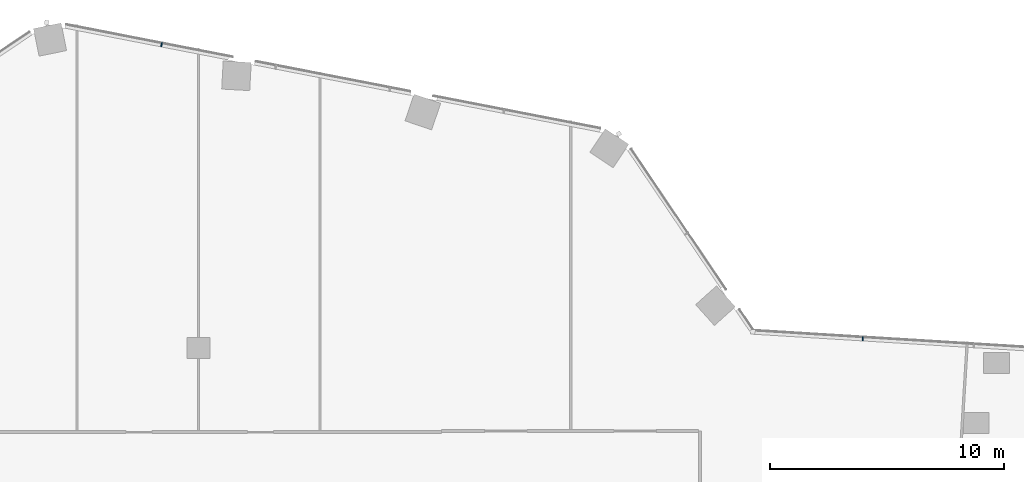
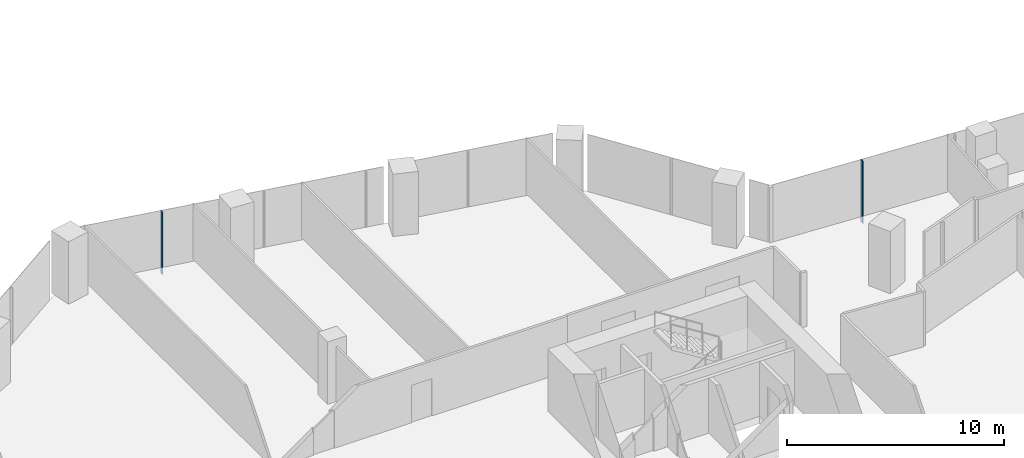
# One storey, part 12 of 32: 2 members, 2 elements without a shape of their own.
"""IFC4 building model written with IfcOpenShell, lengths in metres."""

from ifc_helpers import new_model, si_unit, direction, frame, origin, origin_2d, place, context, subcontext, project, spatial, rectangle, extrude, material, material_profile, profile_set, type_object, element, aggregate, save


model = new_model("IFC4")

# Units and contexts
model_context = context("Model", 3, precision=1e-05, world=origin(), true_north=direction((0.0, 1.0)))
body_context = subcontext(model_context, "Body", "Model", "MODEL_VIEW")
ifc_project = project(units=[si_unit("LENGTHUNIT", "METRE"), si_unit("AREAUNIT", "SQUARE_METRE"), si_unit("VOLUMEUNIT", "CUBIC_METRE"), si_unit("PLANEANGLEUNIT", "RADIAN"), si_unit("MASSUNIT", "GRAM", prefix="KILO")], contexts=[model_context])

# Site, building, storey
site_placement = place(None, origin())
site = spatial("IfcSite", under=ifc_project, at=site_placement, CompositionType="ELEMENT")
building_placement = place(site_placement, origin())
building = spatial("IfcBuilding", under=site, at=building_placement, Name="Orlundy Tower", CompositionType="ELEMENT")
storey_placement = place(building_placement, frame((0.0, 0.0, 149.10009765625)))
storey = spatial("IfcBuildingStorey", under=building, at=storey_placement, Name="L38", CompositionType="ELEMENT", Elevation=149.10009765625)

# Curtain wall, member
ifc_material_1 = material(Name="Aluminium bronze anodised", Category="aluminium")
curtain_wall_type = type_object("IfcCurtainWallType", Name="CW1 wall", PredefinedType="NOTDEFINED", material=ifc_material_1)
curtain_wall_1_placement = place(storey_placement, origin())
curtain_wall_1 = element("IfcCurtainWall", 1, at=curtain_wall_1_placement, inside=storey, type_object=curtain_wall_type, Name="CW1 run 016", PredefinedType="NOTDEFINED")
ifc_material_2 = material(Name="Aluminium bronze anodised", Category="aluminium")
ifc_material_profile = material_profile(ifc_material_2, rectangle(XDim=0.179931640625, YDim=0.050048828125, at=origin_2d()), Name="CW1 mullion 50x180")
ifc_profile_set = profile_set([ifc_material_profile], Name="Aluminium bronze anodised")
member_type = type_object("IfcMemberType", Name="CW1 mullion 50x180", PredefinedType="MULLION", material=ifc_profile_set)
member_1_placement = place(storey_placement, frame((-1.57763671875, 30.9599609375, -0.400146484375), z_axis=(0.0, 0.0, 1.0), x_axis=(0.19080503976, 0.981627952333, 0.0)))
member_1 = element("IfcMember", 2, at=member_1_placement, type_object=member_type, Name="CW1 mullion 45", PredefinedType="MULLION", context=body_context, shape_type="SweptSolid", body=[
    extrude(rectangle(XDim=0.179931640625, YDim=0.050048828125, at=origin_2d()), origin(), (0.0, 0.0, 1.0), 3.5),
])
aggregate(curtain_wall_1, [member_1])

curtain_wall_2_placement = place(storey_placement, origin())
curtain_wall_2 = element("IfcCurtainWall", 3, at=curtain_wall_2_placement, inside=storey, type_object=curtain_wall_type, Name="CW1 run 018", PredefinedType="NOTDEFINED")
member_2_placement = place(storey_placement, frame((28.39892578125, 18.390380859375, -0.400146484375), z_axis=(0.0, 0.0, 1.0), x_axis=(0.061053768107, 0.998134478615, 0.0)))
member_2 = element("IfcMember", 4, at=member_2_placement, type_object=member_type, Name="CW1 mullion 52", PredefinedType="MULLION", context=body_context, shape_type="SweptSolid", body=[
    extrude(rectangle(XDim=0.179931640625, YDim=0.050048828125, at=origin_2d()), origin(), (0.0, 0.0, 1.0), 3.5),
])
aggregate(curtain_wall_2, [member_2])

save(model, "model.ifc")
